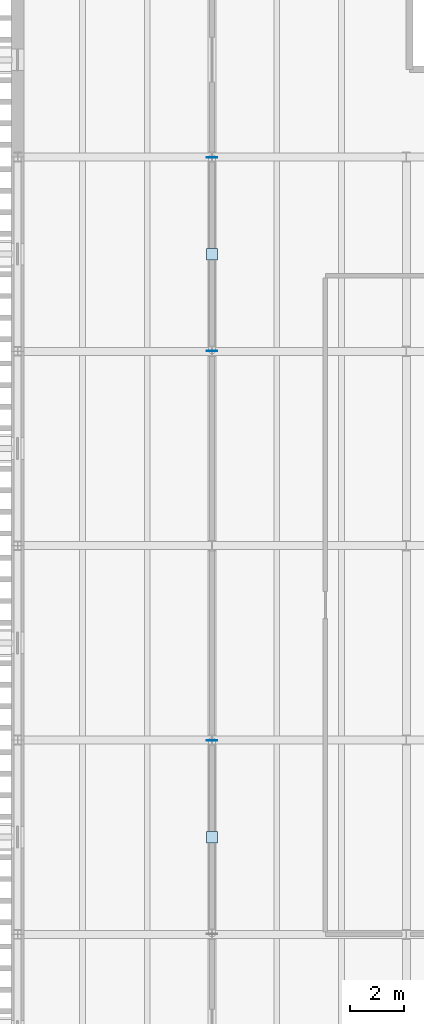
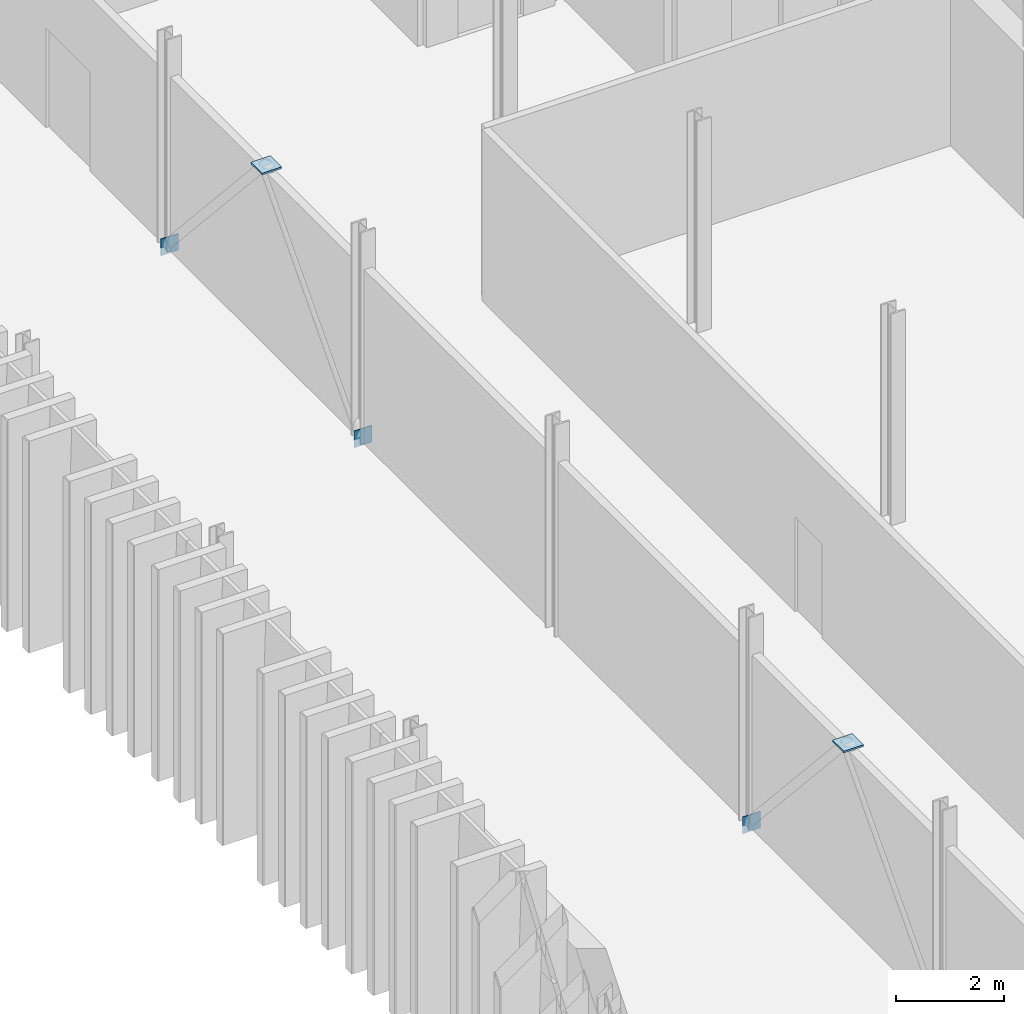
# One storey, part 70 of 121: 5 plates.
"""IFC4 building model written with IfcOpenShell, lengths in metres."""

from ifc_helpers import new_model, si_unit, direction, frame, origin, origin_2d, place, context, subcontext, project, spatial, rectangle, extrude, material, layer, layer_set, type_object, element, save


model = new_model("IFC4")

# Units and contexts
model_context = context("Model", 3, precision=1e-05, world=origin(), true_north=direction((0.0, 1.0)))
body_context = subcontext(model_context, "Body", "Model", "MODEL_VIEW")
ifc_project = project(units=[si_unit("LENGTHUNIT", "METRE"), si_unit("AREAUNIT", "SQUARE_METRE"), si_unit("VOLUMEUNIT", "CUBIC_METRE"), si_unit("PLANEANGLEUNIT", "RADIAN"), si_unit("MASSUNIT", "GRAM", prefix="KILO")], contexts=[model_context])

# Site, building, storey
site_placement = place(None, origin())
site = spatial("IfcSite", under=ifc_project, at=site_placement, CompositionType="ELEMENT")
building_placement = place(site_placement, origin())
building = spatial("IfcBuilding", under=site, at=building_placement, Name="Narikvali Park Central Library", CompositionType="ELEMENT")
storey_placement = place(building_placement, frame((0.0, 0.0, 5.39990234375)))
storey = spatial("IfcBuildingStorey", under=building, at=storey_placement, Name="L01", CompositionType="ELEMENT", Elevation=5.39990234375)

# Plates
ifc_material = material(Name="Steel S355", Category="steel")
ifc_layer_1 = layer(ifc_material, 0.013916015625, Name="Steel S355")
ifc_layer_set_1 = layer_set([ifc_layer_1], Name="Steel S355")
plate_type_1 = type_object("IfcPlateType", Name="Steel Hollow End Cap Plate 14", PredefinedType="SHEET", material=ifc_layer_set_1)
for number, where, z_axis, x_axis, name in (
    (1, (7.199951171875, 79.187744140625, -0.177734375), (0.0, 0.0, 1.0), (1.0, 0.0, 0.0), "Hollow Section Steel End Cap BR-ECAP-1-L01-B0"),
    (2, (7.199951171875, 93.6123046875, -0.177734375), (0.0, 0.0, 1.0), (-1.0, 0.0, 0.0), "Hollow Section Steel End Cap BR-ECAP-2-L01-A0"),
    (3, (7.199951171875, 100.78759765625, -0.177734375), (0.0, 0.0, 1.0), (1.0, 0.0, 0.0), "Hollow Section Steel End Cap BR-ECAP-2-L01-B0"),
):
    element("IfcPlate", number, at=place(storey_placement, frame(where, z_axis=z_axis, x_axis=x_axis)), inside=storey, type_object=plate_type_1, Name=name, PredefinedType="SHEET", context=body_context, shape_type="SweptSolid", body=[
        extrude(rectangle(XDim=0.3798828125, YDim=0.013916015625, at=origin_2d()), origin(), (0.0, 0.0, 1.0), 0.3798828125),
    ])
ifc_layer_2 = layer(ifc_material, 0.0380859375, Name="Steel S355")
ifc_layer_set_2 = layer_set([ifc_layer_2], Name="Steel S355")
plate_type_2 = type_object("IfcPlateType", Name="Truss Splice Gusset Plate 38", PredefinedType="SHEET", material=ifc_layer_set_2)
for number, where, z_axis, x_axis, name in (
    (4, (7.199951171875, 75.60009765625, 3.9609375), (0.0, 0.0, 1.0), (1.0, 0.0, 0.0), "V5 L01 Chevron Apex Gusset Cap Plate"),
    (5, (7.199951171875, 97.199951171875, 3.9609375), (0.0, 0.0, 1.0), (1.0, 0.0, 0.0), "V5 L01 Chevron Apex Gusset Cap Plate"),
):
    element("IfcPlate", number, at=place(storey_placement, frame(where, z_axis=z_axis, x_axis=x_axis)), inside=storey, type_object=plate_type_2, Name=name, PredefinedType="SHEET", context=body_context, shape_type="SweptSolid", body=[
        extrude(rectangle(XDim=0.419921875, YDim=0.419921875, at=origin_2d()), origin(), (0.0, 0.0, 1.0), 0.0380859375),
    ])

save(model, "model.ifc")
